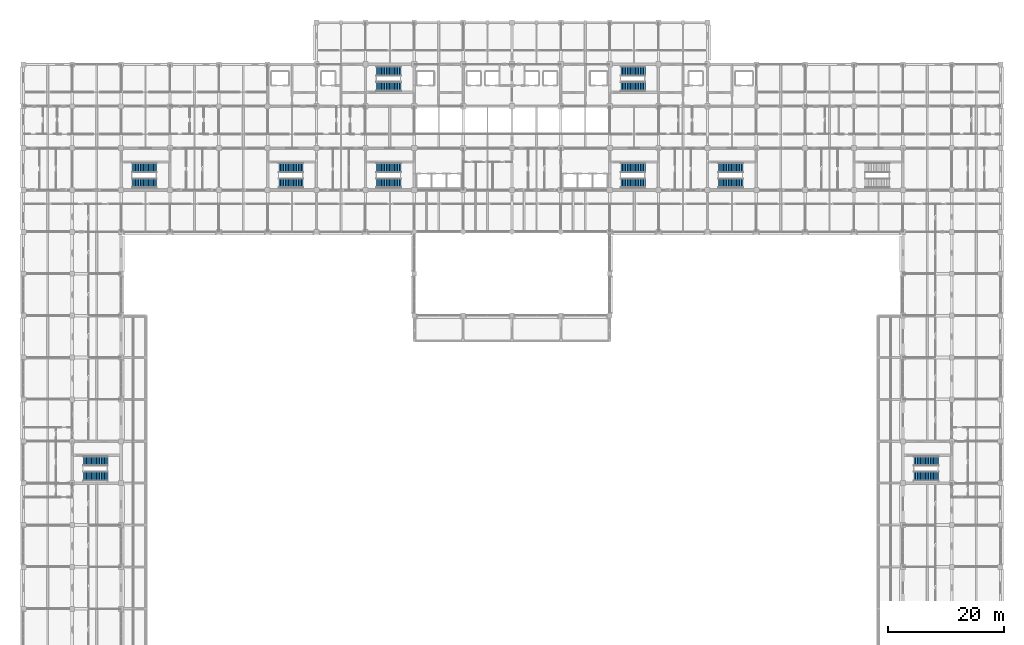
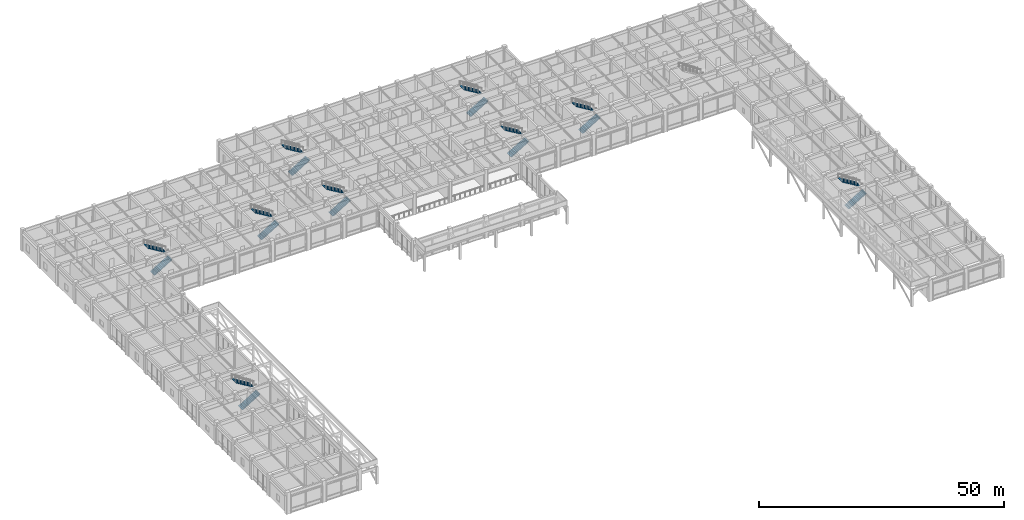
# One storey, part 60 of 68: 18 stair flights, 9 elements without a shape of their own.
"""IFC4 building model written with IfcOpenShell, lengths in metres."""

from ifc_helpers import new_model, si_unit, direction, frame, origin, place, context, subcontext, project, spatial, polyline, outline, extrude, material, type_object, element, aggregate, save


model = new_model("IFC4")

# Units and contexts
model_context = context("Model", 3, precision=1e-05, world=origin(), true_north=direction((0.0, 1.0)))
body_context = subcontext(model_context, "Body", "Model", "MODEL_VIEW")
ifc_project = project(units=[si_unit("LENGTHUNIT", "METRE"), si_unit("AREAUNIT", "SQUARE_METRE"), si_unit("VOLUMEUNIT", "CUBIC_METRE"), si_unit("PLANEANGLEUNIT", "RADIAN"), si_unit("MASSUNIT", "GRAM", prefix="KILO")], contexts=[model_context])

# Site, building, storey
site_placement = place(None, origin())
site = spatial("IfcSite", under=ifc_project, at=site_placement, CompositionType="ELEMENT")
building_placement = place(site_placement, origin())
building = spatial("IfcBuilding", under=site, at=building_placement, Name="Chengyuan Square Courthouse", CompositionType="ELEMENT")
storey_placement = place(building_placement, frame((0.0, 0.0, 5.39990234375)))
storey = spatial("IfcBuildingStorey", under=building, at=storey_placement, Name="L02", CompositionType="ELEMENT", Elevation=5.39990234375)

# Stair, stair flights
ifc_material = material(Name="Concrete C40", Category="concrete")
stair_type_1 = type_object("IfcStairType", Name="ST-TYPE-01", PredefinedType="HALF_TURN_STAIR", material=ifc_material)
stair_1_placement = place(storey_placement, origin())
stair_1 = element("IfcStair", 1, at=stair_1_placement, inside=storey, type_object=stair_type_1, Name="Smoke-Proof Exit Stair ST-1 (L02 to L03)", PredefinedType="HALF_TURN_STAIR")
stair_flight_type_1 = type_object("IfcStairFlightType", Name="STF-TYPE-01", PredefinedType="STRAIGHT", material=ifc_material)
stair_flight_1_placement = place(storey_placement, frame((60.7099609375, 104.175048828125, 0.0), z_axis=(0.0, 0.0, 1.0), x_axis=(1.0, 0.0, 0.0)))
stair_flight_1 = element("IfcStairFlight", 2, at=stair_flight_1_placement, type_object=stair_flight_type_1, Name="ST-1 flight 1", NumberOfRisers=16, NumberOfTreads=15, PredefinedType="STRAIGHT", RiserHeight=0.16875, TreadLength=0.28, context=body_context, shape_type="SweptSolid", body=[
    extrude(outline(polyline([(0.0, 0.0), (0.0, 0.168701171875), (0.280029296875, 0.168701171875), (0.280029296875, 0.33740234375), (0.56005859375, 0.33740234375), (0.56005859375, 0.50634765625), (0.840087890625, 0.50634765625), (0.840087890625, 0.675048828125), (1.1201171875, 0.675048828125), (1.1201171875, 0.84375), (1.39990234375, 0.84375), (1.39990234375, 1.012451171875), (1.679931640625, 1.012451171875), (1.679931640625, 1.18115234375), (1.9599609375, 1.18115234375), (1.9599609375, 1.35009765625), (2.239990234375, 1.35009765625), (2.239990234375, 1.518798828125), (2.52001953125, 1.518798828125), (2.52001953125, 1.6875), (2.800048828125, 1.6875), (2.800048828125, 1.856201171875), (3.080078125, 1.856201171875), (3.080078125, 2.02490234375), (3.360107421875, 2.02490234375), (3.360107421875, 2.19384765625), (3.639892578125, 2.19384765625), (3.639892578125, 2.362548828125), (3.919921875, 2.362548828125), (3.919921875, 2.53125), (4.199951171875, 2.53125), (4.199951171875, 2.699951171875), (4.199951171875, 2.356201171875), (0.29052734375, 0.0), (0.0, 0.0)])), frame((0.0, 0.824951171875, 0.0), z_axis=(0.0, -1.0, 0.0), x_axis=(1.0, 0.0, 0.0)), (0.0, 0.0, 1.0), 1.64990234375),
])
stair_flight_2_placement = place(storey_placement, frame((64.909912109375, 106.824951171875, 2.7001953125), z_axis=(0.0, 0.0, 1.0), x_axis=(-1.0, 0.0, 0.0)))
stair_flight_2 = element("IfcStairFlight", 3, at=stair_flight_2_placement, type_object=stair_flight_type_1, Name="ST-1 flight 2", NumberOfRisers=16, NumberOfTreads=15, PredefinedType="STRAIGHT", RiserHeight=0.16875, TreadLength=0.28, context=body_context, shape_type="SweptSolid", body=[
    extrude(outline(polyline([(0.0, 0.0), (0.0, 0.168701171875), (0.280029296875, 0.168701171875), (0.280029296875, 0.33740234375), (0.56005859375, 0.33740234375), (0.56005859375, 0.50634765625), (0.840087890625, 0.50634765625), (0.840087890625, 0.675048828125), (1.1201171875, 0.675048828125), (1.1201171875, 0.84375), (1.39990234375, 0.84375), (1.39990234375, 1.012451171875), (1.679931640625, 1.012451171875), (1.679931640625, 1.18115234375), (1.9599609375, 1.18115234375), (1.9599609375, 1.35009765625), (2.239990234375, 1.35009765625), (2.239990234375, 1.518798828125), (2.52001953125, 1.518798828125), (2.52001953125, 1.6875), (2.800048828125, 1.6875), (2.800048828125, 1.856201171875), (3.080078125, 1.856201171875), (3.080078125, 2.02490234375), (3.360107421875, 2.02490234375), (3.360107421875, 2.19384765625), (3.639892578125, 2.19384765625), (3.639892578125, 2.362548828125), (3.919921875, 2.362548828125), (3.919921875, 2.53125), (4.199951171875, 2.53125), (4.199951171875, 2.699951171875), (4.199951171875, 2.356201171875), (0.29052734375, 0.0), (0.0, 0.0)])), frame((0.0, 0.824951171875, 0.0), z_axis=(0.0, -1.0, 0.0), x_axis=(1.0, 0.0, 0.0)), (0.0, 0.0, 1.0), 1.64990234375),
])
aggregate(stair_1, [stair_flight_1, stair_flight_2])

stair_type_2 = type_object("IfcStairType", Name="ST-TYPE-02", PredefinedType="HALF_TURN_STAIR", material=ifc_material)
stair_2_placement = place(storey_placement, origin())
stair_2 = element("IfcStair", 4, at=stair_2_placement, inside=storey, type_object=stair_type_2, Name="Smoke-Proof Exit Stair ST-2 (L02 to L03)", PredefinedType="HALF_TURN_STAIR")
stair_flight_type_2 = type_object("IfcStairFlightType", Name="STF-TYPE-02", PredefinedType="STRAIGHT", material=ifc_material)
stair_flight_3_placement = place(storey_placement, frame((102.7099609375, 104.175048828125, 0.0), z_axis=(0.0, 0.0, 1.0), x_axis=(1.0, 0.0, 0.0)))
stair_flight_3 = element("IfcStairFlight", 5, at=stair_flight_3_placement, type_object=stair_flight_type_2, Name="ST-2 flight 1", NumberOfRisers=16, NumberOfTreads=15, PredefinedType="STRAIGHT", RiserHeight=0.16875, TreadLength=0.28, context=body_context, shape_type="SweptSolid", body=[
    extrude(outline(polyline([(0.0, 0.0), (0.0, 0.168701171875), (0.280029296875, 0.168701171875), (0.280029296875, 0.33740234375), (0.56005859375, 0.33740234375), (0.56005859375, 0.50634765625), (0.840087890625, 0.50634765625), (0.840087890625, 0.675048828125), (1.1201171875, 0.675048828125), (1.1201171875, 0.84375), (1.39990234375, 0.84375), (1.39990234375, 1.012451171875), (1.679931640625, 1.012451171875), (1.679931640625, 1.18115234375), (1.9599609375, 1.18115234375), (1.9599609375, 1.35009765625), (2.239990234375, 1.35009765625), (2.239990234375, 1.518798828125), (2.52001953125, 1.518798828125), (2.52001953125, 1.6875), (2.800048828125, 1.6875), (2.800048828125, 1.856201171875), (3.080078125, 1.856201171875), (3.080078125, 2.02490234375), (3.360107421875, 2.02490234375), (3.360107421875, 2.19384765625), (3.639892578125, 2.19384765625), (3.639892578125, 2.362548828125), (3.919921875, 2.362548828125), (3.919921875, 2.53125), (4.199951171875, 2.53125), (4.199951171875, 2.699951171875), (4.199951171875, 2.356201171875), (0.29052734375, 0.0), (0.0, 0.0)])), frame((0.0, 0.824951171875, 0.0), z_axis=(0.0, -1.0, 0.0), x_axis=(1.0, 0.0, 0.0)), (0.0, 0.0, 1.0), 1.64990234375),
])
stair_flight_4_placement = place(storey_placement, frame((106.909912109375, 106.824951171875, 2.7001953125), z_axis=(0.0, 0.0, 1.0), x_axis=(-1.0, 0.0, 0.0)))
stair_flight_4 = element("IfcStairFlight", 6, at=stair_flight_4_placement, type_object=stair_flight_type_2, Name="ST-2 flight 2", NumberOfRisers=16, NumberOfTreads=15, PredefinedType="STRAIGHT", RiserHeight=0.16875, TreadLength=0.28, context=body_context, shape_type="SweptSolid", body=[
    extrude(outline(polyline([(0.0, 0.0), (0.0, 0.168701171875), (0.280029296875, 0.168701171875), (0.280029296875, 0.33740234375), (0.56005859375, 0.33740234375), (0.56005859375, 0.50634765625), (0.840087890625, 0.50634765625), (0.840087890625, 0.675048828125), (1.1201171875, 0.675048828125), (1.1201171875, 0.84375), (1.39990234375, 0.84375), (1.39990234375, 1.012451171875), (1.679931640625, 1.012451171875), (1.679931640625, 1.18115234375), (1.9599609375, 1.18115234375), (1.9599609375, 1.35009765625), (2.239990234375, 1.35009765625), (2.239990234375, 1.518798828125), (2.52001953125, 1.518798828125), (2.52001953125, 1.6875), (2.800048828125, 1.6875), (2.800048828125, 1.856201171875), (3.080078125, 1.856201171875), (3.080078125, 2.02490234375), (3.360107421875, 2.02490234375), (3.360107421875, 2.19384765625), (3.639892578125, 2.19384765625), (3.639892578125, 2.362548828125), (3.919921875, 2.362548828125), (3.919921875, 2.53125), (4.199951171875, 2.53125), (4.199951171875, 2.699951171875), (4.199951171875, 2.356201171875), (0.29052734375, 0.0), (0.0, 0.0)])), frame((0.0, 0.824951171875, 0.0), z_axis=(0.0, -1.0, 0.0), x_axis=(1.0, 0.0, 0.0)), (0.0, 0.0, 1.0), 1.64990234375),
])
aggregate(stair_2, [stair_flight_3, stair_flight_4])

stair_type_3 = type_object("IfcStairType", Name="ST-TYPE-03", PredefinedType="HALF_TURN_STAIR", material=ifc_material)
stair_3_placement = place(storey_placement, origin())
stair_3 = element("IfcStair", 7, at=stair_3_placement, inside=storey, type_object=stair_type_3, Name="Smoke-Proof Exit Stair ST-3 (L02 to L03)", PredefinedType="HALF_TURN_STAIR")
stair_flight_type_3 = type_object("IfcStairFlightType", Name="STF-TYPE-03", PredefinedType="STRAIGHT", material=ifc_material)
stair_flight_5_placement = place(storey_placement, frame((60.7099609375, 87.574951171875, 0.0), z_axis=(0.0, 0.0, 1.0), x_axis=(1.0, 0.0, 0.0)))
stair_flight_5 = element("IfcStairFlight", 8, at=stair_flight_5_placement, type_object=stair_flight_type_3, Name="ST-3 flight 1", NumberOfRisers=16, NumberOfTreads=15, PredefinedType="STRAIGHT", RiserHeight=0.16875, TreadLength=0.28, context=body_context, shape_type="SweptSolid", body=[
    extrude(outline(polyline([(0.0, 0.0), (0.0, 0.168701171875), (0.280029296875, 0.168701171875), (0.280029296875, 0.33740234375), (0.56005859375, 0.33740234375), (0.56005859375, 0.50634765625), (0.840087890625, 0.50634765625), (0.840087890625, 0.675048828125), (1.1201171875, 0.675048828125), (1.1201171875, 0.84375), (1.39990234375, 0.84375), (1.39990234375, 1.012451171875), (1.679931640625, 1.012451171875), (1.679931640625, 1.18115234375), (1.9599609375, 1.18115234375), (1.9599609375, 1.35009765625), (2.239990234375, 1.35009765625), (2.239990234375, 1.518798828125), (2.52001953125, 1.518798828125), (2.52001953125, 1.6875), (2.800048828125, 1.6875), (2.800048828125, 1.856201171875), (3.080078125, 1.856201171875), (3.080078125, 2.02490234375), (3.360107421875, 2.02490234375), (3.360107421875, 2.19384765625), (3.639892578125, 2.19384765625), (3.639892578125, 2.362548828125), (3.919921875, 2.362548828125), (3.919921875, 2.53125), (4.199951171875, 2.53125), (4.199951171875, 2.699951171875), (4.199951171875, 2.356201171875), (0.29052734375, 0.0), (0.0, 0.0)])), frame((0.0, 0.824951171875, 0.0), z_axis=(0.0, -1.0, 0.0), x_axis=(1.0, 0.0, 0.0)), (0.0, 0.0, 1.0), 1.64990234375),
])
stair_flight_6_placement = place(storey_placement, frame((64.909912109375, 90.22509765625, 2.7001953125), z_axis=(0.0, 0.0, 1.0), x_axis=(-1.0, 0.0, 0.0)))
stair_flight_6 = element("IfcStairFlight", 9, at=stair_flight_6_placement, type_object=stair_flight_type_3, Name="ST-3 flight 2", NumberOfRisers=16, NumberOfTreads=15, PredefinedType="STRAIGHT", RiserHeight=0.16875, TreadLength=0.28, context=body_context, shape_type="SweptSolid", body=[
    extrude(outline(polyline([(0.0, 0.0), (0.0, 0.168701171875), (0.280029296875, 0.168701171875), (0.280029296875, 0.33740234375), (0.56005859375, 0.33740234375), (0.56005859375, 0.50634765625), (0.840087890625, 0.50634765625), (0.840087890625, 0.675048828125), (1.1201171875, 0.675048828125), (1.1201171875, 0.84375), (1.39990234375, 0.84375), (1.39990234375, 1.012451171875), (1.679931640625, 1.012451171875), (1.679931640625, 1.18115234375), (1.9599609375, 1.18115234375), (1.9599609375, 1.35009765625), (2.239990234375, 1.35009765625), (2.239990234375, 1.518798828125), (2.52001953125, 1.518798828125), (2.52001953125, 1.6875), (2.800048828125, 1.6875), (2.800048828125, 1.856201171875), (3.080078125, 1.856201171875), (3.080078125, 2.02490234375), (3.360107421875, 2.02490234375), (3.360107421875, 2.19384765625), (3.639892578125, 2.19384765625), (3.639892578125, 2.362548828125), (3.919921875, 2.362548828125), (3.919921875, 2.53125), (4.199951171875, 2.53125), (4.199951171875, 2.699951171875), (4.199951171875, 2.356201171875), (0.29052734375, 0.0), (0.0, 0.0)])), frame((0.0, 0.824951171875, 0.0), z_axis=(0.0, -1.0, 0.0), x_axis=(1.0, 0.0, 0.0)), (0.0, 0.0, 1.0), 1.64990234375),
])
aggregate(stair_3, [stair_flight_5, stair_flight_6])

stair_type_4 = type_object("IfcStairType", Name="ST-TYPE-04", PredefinedType="HALF_TURN_STAIR", material=ifc_material)
stair_4_placement = place(storey_placement, origin())
stair_4 = element("IfcStair", 10, at=stair_4_placement, inside=storey, type_object=stair_type_4, Name="Smoke-Proof Exit Stair ST-4 (L02 to L03)", PredefinedType="HALF_TURN_STAIR")
stair_flight_type_4 = type_object("IfcStairFlightType", Name="STF-TYPE-04", PredefinedType="STRAIGHT", material=ifc_material)
stair_flight_7_placement = place(storey_placement, frame((102.7099609375, 87.574951171875, 0.0), z_axis=(0.0, 0.0, 1.0), x_axis=(1.0, 0.0, 0.0)))
stair_flight_7 = element("IfcStairFlight", 11, at=stair_flight_7_placement, type_object=stair_flight_type_4, Name="ST-4 flight 1", NumberOfRisers=16, NumberOfTreads=15, PredefinedType="STRAIGHT", RiserHeight=0.16875, TreadLength=0.28, context=body_context, shape_type="SweptSolid", body=[
    extrude(outline(polyline([(0.0, 0.0), (0.0, 0.168701171875), (0.280029296875, 0.168701171875), (0.280029296875, 0.33740234375), (0.56005859375, 0.33740234375), (0.56005859375, 0.50634765625), (0.840087890625, 0.50634765625), (0.840087890625, 0.675048828125), (1.1201171875, 0.675048828125), (1.1201171875, 0.84375), (1.39990234375, 0.84375), (1.39990234375, 1.012451171875), (1.679931640625, 1.012451171875), (1.679931640625, 1.18115234375), (1.9599609375, 1.18115234375), (1.9599609375, 1.35009765625), (2.239990234375, 1.35009765625), (2.239990234375, 1.518798828125), (2.52001953125, 1.518798828125), (2.52001953125, 1.6875), (2.800048828125, 1.6875), (2.800048828125, 1.856201171875), (3.080078125, 1.856201171875), (3.080078125, 2.02490234375), (3.360107421875, 2.02490234375), (3.360107421875, 2.19384765625), (3.639892578125, 2.19384765625), (3.639892578125, 2.362548828125), (3.919921875, 2.362548828125), (3.919921875, 2.53125), (4.199951171875, 2.53125), (4.199951171875, 2.699951171875), (4.199951171875, 2.356201171875), (0.29052734375, 0.0), (0.0, 0.0)])), frame((0.0, 0.824951171875, 0.0), z_axis=(0.0, -1.0, 0.0), x_axis=(1.0, 0.0, 0.0)), (0.0, 0.0, 1.0), 1.64990234375),
])
stair_flight_8_placement = place(storey_placement, frame((106.909912109375, 90.22509765625, 2.7001953125), z_axis=(0.0, 0.0, 1.0), x_axis=(-1.0, 0.0, 0.0)))
stair_flight_8 = element("IfcStairFlight", 12, at=stair_flight_8_placement, type_object=stair_flight_type_4, Name="ST-4 flight 2", NumberOfRisers=16, NumberOfTreads=15, PredefinedType="STRAIGHT", RiserHeight=0.16875, TreadLength=0.28, context=body_context, shape_type="SweptSolid", body=[
    extrude(outline(polyline([(0.0, 0.0), (0.0, 0.168701171875), (0.280029296875, 0.168701171875), (0.280029296875, 0.33740234375), (0.56005859375, 0.33740234375), (0.56005859375, 0.50634765625), (0.840087890625, 0.50634765625), (0.840087890625, 0.675048828125), (1.1201171875, 0.675048828125), (1.1201171875, 0.84375), (1.39990234375, 0.84375), (1.39990234375, 1.012451171875), (1.679931640625, 1.012451171875), (1.679931640625, 1.18115234375), (1.9599609375, 1.18115234375), (1.9599609375, 1.35009765625), (2.239990234375, 1.35009765625), (2.239990234375, 1.518798828125), (2.52001953125, 1.518798828125), (2.52001953125, 1.6875), (2.800048828125, 1.6875), (2.800048828125, 1.856201171875), (3.080078125, 1.856201171875), (3.080078125, 2.02490234375), (3.360107421875, 2.02490234375), (3.360107421875, 2.19384765625), (3.639892578125, 2.19384765625), (3.639892578125, 2.362548828125), (3.919921875, 2.362548828125), (3.919921875, 2.53125), (4.199951171875, 2.53125), (4.199951171875, 2.699951171875), (4.199951171875, 2.356201171875), (0.29052734375, 0.0), (0.0, 0.0)])), frame((0.0, 0.824951171875, 0.0), z_axis=(0.0, -1.0, 0.0), x_axis=(1.0, 0.0, 0.0)), (0.0, 0.0, 1.0), 1.64990234375),
])
aggregate(stair_4, [stair_flight_7, stair_flight_8])

stair_type_5 = type_object("IfcStairType", Name="ST-TYPE-05", PredefinedType="HALF_TURN_STAIR", material=ifc_material)
stair_5_placement = place(storey_placement, origin())
stair_5 = element("IfcStair", 13, at=stair_5_placement, inside=storey, type_object=stair_type_5, Name="Smoke-Proof Exit Stair ST-5 (L02 to L03)", PredefinedType="HALF_TURN_STAIR")
stair_flight_type_5 = type_object("IfcStairFlightType", Name="STF-TYPE-05", PredefinedType="STRAIGHT", material=ifc_material)
stair_flight_9_placement = place(storey_placement, frame((43.909912109375, 87.574951171875, 0.0), z_axis=(0.0, 0.0, 1.0), x_axis=(1.0, 0.0, 0.0)))
stair_flight_9 = element("IfcStairFlight", 14, at=stair_flight_9_placement, type_object=stair_flight_type_5, Name="ST-5 flight 1", NumberOfRisers=16, NumberOfTreads=15, PredefinedType="STRAIGHT", RiserHeight=0.16875, TreadLength=0.28, context=body_context, shape_type="SweptSolid", body=[
    extrude(outline(polyline([(0.0, 0.0), (0.0, 0.168701171875), (0.280029296875, 0.168701171875), (0.280029296875, 0.33740234375), (0.56005859375, 0.33740234375), (0.56005859375, 0.50634765625), (0.840087890625, 0.50634765625), (0.840087890625, 0.675048828125), (1.1201171875, 0.675048828125), (1.1201171875, 0.84375), (1.39990234375, 0.84375), (1.39990234375, 1.012451171875), (1.679931640625, 1.012451171875), (1.679931640625, 1.18115234375), (1.9599609375, 1.18115234375), (1.9599609375, 1.35009765625), (2.239990234375, 1.35009765625), (2.239990234375, 1.518798828125), (2.52001953125, 1.518798828125), (2.52001953125, 1.6875), (2.800048828125, 1.6875), (2.800048828125, 1.856201171875), (3.080078125, 1.856201171875), (3.080078125, 2.02490234375), (3.360107421875, 2.02490234375), (3.360107421875, 2.19384765625), (3.639892578125, 2.19384765625), (3.639892578125, 2.362548828125), (3.919921875, 2.362548828125), (3.919921875, 2.53125), (4.199951171875, 2.53125), (4.199951171875, 2.699951171875), (4.199951171875, 2.356201171875), (0.29052734375, 0.0), (0.0, 0.0)])), frame((0.0, 0.824951171875, 0.0), z_axis=(0.0, -1.0, 0.0), x_axis=(1.0, 0.0, 0.0)), (0.0, 0.0, 1.0), 1.64990234375),
])
stair_flight_10_placement = place(storey_placement, frame((48.110107421875, 90.22509765625, 2.7001953125), z_axis=(0.0, 0.0, 1.0), x_axis=(-1.0, 0.0, 0.0)))
stair_flight_10 = element("IfcStairFlight", 15, at=stair_flight_10_placement, type_object=stair_flight_type_5, Name="ST-5 flight 2", NumberOfRisers=16, NumberOfTreads=15, PredefinedType="STRAIGHT", RiserHeight=0.16875, TreadLength=0.28, context=body_context, shape_type="SweptSolid", body=[
    extrude(outline(polyline([(0.0, 0.0), (0.0, 0.168701171875), (0.280029296875, 0.168701171875), (0.280029296875, 0.33740234375), (0.56005859375, 0.33740234375), (0.56005859375, 0.50634765625), (0.840087890625, 0.50634765625), (0.840087890625, 0.675048828125), (1.1201171875, 0.675048828125), (1.1201171875, 0.84375), (1.39990234375, 0.84375), (1.39990234375, 1.012451171875), (1.679931640625, 1.012451171875), (1.679931640625, 1.18115234375), (1.9599609375, 1.18115234375), (1.9599609375, 1.35009765625), (2.239990234375, 1.35009765625), (2.239990234375, 1.518798828125), (2.52001953125, 1.518798828125), (2.52001953125, 1.6875), (2.800048828125, 1.6875), (2.800048828125, 1.856201171875), (3.080078125, 1.856201171875), (3.080078125, 2.02490234375), (3.360107421875, 2.02490234375), (3.360107421875, 2.19384765625), (3.639892578125, 2.19384765625), (3.639892578125, 2.362548828125), (3.919921875, 2.362548828125), (3.919921875, 2.53125), (4.199951171875, 2.53125), (4.199951171875, 2.699951171875), (4.199951171875, 2.356201171875), (0.29052734375, 0.0), (0.0, 0.0)])), frame((0.0, 0.824951171875, 0.0), z_axis=(0.0, -1.0, 0.0), x_axis=(1.0, 0.0, 0.0)), (0.0, 0.0, 1.0), 1.64990234375),
])
aggregate(stair_5, [stair_flight_9, stair_flight_10])

stair_type_6 = type_object("IfcStairType", Name="ST-TYPE-06", PredefinedType="HALF_TURN_STAIR", material=ifc_material)
stair_6_placement = place(storey_placement, origin())
stair_6 = element("IfcStair", 16, at=stair_6_placement, inside=storey, type_object=stair_type_6, Name="Smoke-Proof Exit Stair ST-6 (L02 to L03)", PredefinedType="HALF_TURN_STAIR")
stair_flight_type_6 = type_object("IfcStairFlightType", Name="STF-TYPE-06", PredefinedType="STRAIGHT", material=ifc_material)
stair_flight_11_placement = place(storey_placement, frame((119.510009765625, 87.574951171875, 0.0), z_axis=(0.0, 0.0, 1.0), x_axis=(1.0, 0.0, 0.0)))
stair_flight_11 = element("IfcStairFlight", 17, at=stair_flight_11_placement, type_object=stair_flight_type_6, Name="ST-6 flight 1", NumberOfRisers=16, NumberOfTreads=15, PredefinedType="STRAIGHT", RiserHeight=0.16875, TreadLength=0.28, context=body_context, shape_type="SweptSolid", body=[
    extrude(outline(polyline([(0.0, 0.0), (0.0, 0.168701171875), (0.280029296875, 0.168701171875), (0.280029296875, 0.33740234375), (0.56005859375, 0.33740234375), (0.56005859375, 0.50634765625), (0.840087890625, 0.50634765625), (0.840087890625, 0.675048828125), (1.1201171875, 0.675048828125), (1.1201171875, 0.84375), (1.39990234375, 0.84375), (1.39990234375, 1.012451171875), (1.679931640625, 1.012451171875), (1.679931640625, 1.18115234375), (1.9599609375, 1.18115234375), (1.9599609375, 1.35009765625), (2.239990234375, 1.35009765625), (2.239990234375, 1.518798828125), (2.52001953125, 1.518798828125), (2.52001953125, 1.6875), (2.800048828125, 1.6875), (2.800048828125, 1.856201171875), (3.080078125, 1.856201171875), (3.080078125, 2.02490234375), (3.360107421875, 2.02490234375), (3.360107421875, 2.19384765625), (3.639892578125, 2.19384765625), (3.639892578125, 2.362548828125), (3.919921875, 2.362548828125), (3.919921875, 2.53125), (4.199951171875, 2.53125), (4.199951171875, 2.699951171875), (4.199951171875, 2.356201171875), (0.29052734375, 0.0), (0.0, 0.0)])), frame((0.0, 0.824951171875, 0.0), z_axis=(0.0, -1.0, 0.0), x_axis=(1.0, 0.0, 0.0)), (0.0, 0.0, 1.0), 1.64990234375),
])
stair_flight_12_placement = place(storey_placement, frame((123.7099609375, 90.22509765625, 2.7001953125), z_axis=(0.0, 0.0, 1.0), x_axis=(-1.0, 0.0, 0.0)))
stair_flight_12 = element("IfcStairFlight", 18, at=stair_flight_12_placement, type_object=stair_flight_type_6, Name="ST-6 flight 2", NumberOfRisers=16, NumberOfTreads=15, PredefinedType="STRAIGHT", RiserHeight=0.16875, TreadLength=0.28, context=body_context, shape_type="SweptSolid", body=[
    extrude(outline(polyline([(0.0, 0.0), (0.0, 0.168701171875), (0.280029296875, 0.168701171875), (0.280029296875, 0.33740234375), (0.56005859375, 0.33740234375), (0.56005859375, 0.50634765625), (0.840087890625, 0.50634765625), (0.840087890625, 0.675048828125), (1.1201171875, 0.675048828125), (1.1201171875, 0.84375), (1.39990234375, 0.84375), (1.39990234375, 1.012451171875), (1.679931640625, 1.012451171875), (1.679931640625, 1.18115234375), (1.9599609375, 1.18115234375), (1.9599609375, 1.35009765625), (2.239990234375, 1.35009765625), (2.239990234375, 1.518798828125), (2.52001953125, 1.518798828125), (2.52001953125, 1.6875), (2.800048828125, 1.6875), (2.800048828125, 1.856201171875), (3.080078125, 1.856201171875), (3.080078125, 2.02490234375), (3.360107421875, 2.02490234375), (3.360107421875, 2.19384765625), (3.639892578125, 2.19384765625), (3.639892578125, 2.362548828125), (3.919921875, 2.362548828125), (3.919921875, 2.53125), (4.199951171875, 2.53125), (4.199951171875, 2.699951171875), (4.199951171875, 2.356201171875), (0.29052734375, 0.0), (0.0, 0.0)])), frame((0.0, 0.824951171875, 0.0), z_axis=(0.0, -1.0, 0.0), x_axis=(1.0, 0.0, 0.0)), (0.0, 0.0, 1.0), 1.64990234375),
])
aggregate(stair_6, [stair_flight_11, stair_flight_12])

stair_type_7 = type_object("IfcStairType", Name="ST-TYPE-07", PredefinedType="HALF_TURN_STAIR", material=ifc_material)
stair_7_placement = place(storey_placement, origin())
stair_7 = element("IfcStair", 19, at=stair_7_placement, inside=storey, type_object=stair_type_7, Name="Smoke-Proof Exit Stair ST-7 (L02 to L03)", PredefinedType="HALF_TURN_STAIR")
stair_flight_type_7 = type_object("IfcStairFlightType", Name="STF-TYPE-07", PredefinedType="STRAIGHT", material=ifc_material)
stair_flight_13_placement = place(storey_placement, frame((10.31005859375, 37.175048828125, 0.0), z_axis=(0.0, 0.0, 1.0), x_axis=(1.0, 0.0, 0.0)))
stair_flight_13 = element("IfcStairFlight", 20, at=stair_flight_13_placement, type_object=stair_flight_type_7, Name="ST-7 flight 1", NumberOfRisers=16, NumberOfTreads=15, PredefinedType="STRAIGHT", RiserHeight=0.16875, TreadLength=0.28, context=body_context, shape_type="SweptSolid", body=[
    extrude(outline(polyline([(0.0, 0.0), (0.0, 0.168701171875), (0.280029296875, 0.168701171875), (0.280029296875, 0.33740234375), (0.56005859375, 0.33740234375), (0.56005859375, 0.50634765625), (0.840087890625, 0.50634765625), (0.840087890625, 0.675048828125), (1.1201171875, 0.675048828125), (1.1201171875, 0.84375), (1.39990234375, 0.84375), (1.39990234375, 1.012451171875), (1.679931640625, 1.012451171875), (1.679931640625, 1.18115234375), (1.9599609375, 1.18115234375), (1.9599609375, 1.35009765625), (2.239990234375, 1.35009765625), (2.239990234375, 1.518798828125), (2.52001953125, 1.518798828125), (2.52001953125, 1.6875), (2.800048828125, 1.6875), (2.800048828125, 1.856201171875), (3.080078125, 1.856201171875), (3.080078125, 2.02490234375), (3.360107421875, 2.02490234375), (3.360107421875, 2.19384765625), (3.639892578125, 2.19384765625), (3.639892578125, 2.362548828125), (3.919921875, 2.362548828125), (3.919921875, 2.53125), (4.199951171875, 2.53125), (4.199951171875, 2.699951171875), (4.199951171875, 2.356201171875), (0.29052734375, 0.0), (0.0, 0.0)])), frame((0.0, 0.824951171875, 0.0), z_axis=(0.0, -1.0, 0.0), x_axis=(1.0, 0.0, 0.0)), (0.0, 0.0, 1.0), 1.64990234375),
])
stair_flight_14_placement = place(storey_placement, frame((14.510009765625, 39.824951171875, 2.7001953125), z_axis=(0.0, 0.0, 1.0), x_axis=(-1.0, 0.0, 0.0)))
stair_flight_14 = element("IfcStairFlight", 21, at=stair_flight_14_placement, type_object=stair_flight_type_7, Name="ST-7 flight 2", NumberOfRisers=16, NumberOfTreads=15, PredefinedType="STRAIGHT", RiserHeight=0.16875, TreadLength=0.28, context=body_context, shape_type="SweptSolid", body=[
    extrude(outline(polyline([(0.0, 0.0), (0.0, 0.168701171875), (0.280029296875, 0.168701171875), (0.280029296875, 0.33740234375), (0.56005859375, 0.33740234375), (0.56005859375, 0.50634765625), (0.840087890625, 0.50634765625), (0.840087890625, 0.675048828125), (1.1201171875, 0.675048828125), (1.1201171875, 0.84375), (1.39990234375, 0.84375), (1.39990234375, 1.012451171875), (1.679931640625, 1.012451171875), (1.679931640625, 1.18115234375), (1.9599609375, 1.18115234375), (1.9599609375, 1.35009765625), (2.239990234375, 1.35009765625), (2.239990234375, 1.518798828125), (2.52001953125, 1.518798828125), (2.52001953125, 1.6875), (2.800048828125, 1.6875), (2.800048828125, 1.856201171875), (3.080078125, 1.856201171875), (3.080078125, 2.02490234375), (3.360107421875, 2.02490234375), (3.360107421875, 2.19384765625), (3.639892578125, 2.19384765625), (3.639892578125, 2.362548828125), (3.919921875, 2.362548828125), (3.919921875, 2.53125), (4.199951171875, 2.53125), (4.199951171875, 2.699951171875), (4.199951171875, 2.356201171875), (0.29052734375, 0.0), (0.0, 0.0)])), frame((0.0, 0.824951171875, 0.0), z_axis=(0.0, -1.0, 0.0), x_axis=(1.0, 0.0, 0.0)), (0.0, 0.0, 1.0), 1.64990234375),
])
aggregate(stair_7, [stair_flight_13, stair_flight_14])

stair_type_8 = type_object("IfcStairType", Name="ST-TYPE-08", PredefinedType="HALF_TURN_STAIR", material=ifc_material)
stair_8_placement = place(storey_placement, origin())
stair_8 = element("IfcStair", 22, at=stair_8_placement, inside=storey, type_object=stair_type_8, Name="Smoke-Proof Exit Stair ST-8 (L02 to L03)", PredefinedType="HALF_TURN_STAIR")
stair_flight_type_8 = type_object("IfcStairFlightType", Name="STF-TYPE-08", PredefinedType="STRAIGHT", material=ifc_material)
stair_flight_15_placement = place(storey_placement, frame((153.110107421875, 37.175048828125, 0.0), z_axis=(0.0, 0.0, 1.0), x_axis=(1.0, 0.0, 0.0)))
stair_flight_15 = element("IfcStairFlight", 23, at=stair_flight_15_placement, type_object=stair_flight_type_8, Name="ST-8 flight 1", NumberOfRisers=16, NumberOfTreads=15, PredefinedType="STRAIGHT", RiserHeight=0.16875, TreadLength=0.28, context=body_context, shape_type="SweptSolid", body=[
    extrude(outline(polyline([(0.0, 0.0), (0.0, 0.168701171875), (0.280029296875, 0.168701171875), (0.280029296875, 0.33740234375), (0.56005859375, 0.33740234375), (0.56005859375, 0.50634765625), (0.840087890625, 0.50634765625), (0.840087890625, 0.675048828125), (1.1201171875, 0.675048828125), (1.1201171875, 0.84375), (1.39990234375, 0.84375), (1.39990234375, 1.012451171875), (1.679931640625, 1.012451171875), (1.679931640625, 1.18115234375), (1.9599609375, 1.18115234375), (1.9599609375, 1.35009765625), (2.239990234375, 1.35009765625), (2.239990234375, 1.518798828125), (2.52001953125, 1.518798828125), (2.52001953125, 1.6875), (2.800048828125, 1.6875), (2.800048828125, 1.856201171875), (3.080078125, 1.856201171875), (3.080078125, 2.02490234375), (3.360107421875, 2.02490234375), (3.360107421875, 2.19384765625), (3.639892578125, 2.19384765625), (3.639892578125, 2.362548828125), (3.919921875, 2.362548828125), (3.919921875, 2.53125), (4.199951171875, 2.53125), (4.199951171875, 2.699951171875), (4.199951171875, 2.356201171875), (0.29052734375, 0.0), (0.0, 0.0)])), frame((0.0, 0.824951171875, 0.0), z_axis=(0.0, -1.0, 0.0), x_axis=(1.0, 0.0, 0.0)), (0.0, 0.0, 1.0), 1.64990234375),
])
stair_flight_16_placement = place(storey_placement, frame((157.31005859375, 39.824951171875, 2.7001953125), z_axis=(0.0, 0.0, 1.0), x_axis=(-1.0, 0.0, 0.0)))
stair_flight_16 = element("IfcStairFlight", 24, at=stair_flight_16_placement, type_object=stair_flight_type_8, Name="ST-8 flight 2", NumberOfRisers=16, NumberOfTreads=15, PredefinedType="STRAIGHT", RiserHeight=0.16875, TreadLength=0.28, context=body_context, shape_type="SweptSolid", body=[
    extrude(outline(polyline([(0.0, 0.0), (0.0, 0.168701171875), (0.280029296875, 0.168701171875), (0.280029296875, 0.33740234375), (0.56005859375, 0.33740234375), (0.56005859375, 0.50634765625), (0.840087890625, 0.50634765625), (0.840087890625, 0.675048828125), (1.1201171875, 0.675048828125), (1.1201171875, 0.84375), (1.39990234375, 0.84375), (1.39990234375, 1.012451171875), (1.679931640625, 1.012451171875), (1.679931640625, 1.18115234375), (1.9599609375, 1.18115234375), (1.9599609375, 1.35009765625), (2.239990234375, 1.35009765625), (2.239990234375, 1.518798828125), (2.52001953125, 1.518798828125), (2.52001953125, 1.6875), (2.800048828125, 1.6875), (2.800048828125, 1.856201171875), (3.080078125, 1.856201171875), (3.080078125, 2.02490234375), (3.360107421875, 2.02490234375), (3.360107421875, 2.19384765625), (3.639892578125, 2.19384765625), (3.639892578125, 2.362548828125), (3.919921875, 2.362548828125), (3.919921875, 2.53125), (4.199951171875, 2.53125), (4.199951171875, 2.699951171875), (4.199951171875, 2.356201171875), (0.29052734375, 0.0), (0.0, 0.0)])), frame((0.0, 0.824951171875, 0.0), z_axis=(0.0, -1.0, 0.0), x_axis=(1.0, 0.0, 0.0)), (0.0, 0.0, 1.0), 1.64990234375),
])
aggregate(stair_8, [stair_flight_15, stair_flight_16])

stair_type_9 = type_object("IfcStairType", Name="ST-TYPE-09", PredefinedType="HALF_TURN_STAIR", material=ifc_material)
stair_9_placement = place(storey_placement, origin())
stair_9 = element("IfcStair", 25, at=stair_9_placement, inside=storey, type_object=stair_type_9, Name="Smoke-Proof Exit Stair ST-9 (L02 to L03)", PredefinedType="HALF_TURN_STAIR")
stair_flight_type_9 = type_object("IfcStairFlightType", Name="STF-TYPE-09", PredefinedType="STRAIGHT", material=ifc_material)
stair_flight_17_placement = place(storey_placement, frame((18.7099609375, 87.574951171875, 0.0), z_axis=(0.0, 0.0, 1.0), x_axis=(1.0, 0.0, 0.0)))
stair_flight_17 = element("IfcStairFlight", 26, at=stair_flight_17_placement, type_object=stair_flight_type_9, Name="ST-9 flight 1", NumberOfRisers=16, NumberOfTreads=15, PredefinedType="STRAIGHT", RiserHeight=0.16875, TreadLength=0.28, context=body_context, shape_type="SweptSolid", body=[
    extrude(outline(polyline([(0.0, 0.0), (0.0, 0.168701171875), (0.280029296875, 0.168701171875), (0.280029296875, 0.33740234375), (0.56005859375, 0.33740234375), (0.56005859375, 0.50634765625), (0.840087890625, 0.50634765625), (0.840087890625, 0.675048828125), (1.1201171875, 0.675048828125), (1.1201171875, 0.84375), (1.39990234375, 0.84375), (1.39990234375, 1.012451171875), (1.679931640625, 1.012451171875), (1.679931640625, 1.18115234375), (1.9599609375, 1.18115234375), (1.9599609375, 1.35009765625), (2.239990234375, 1.35009765625), (2.239990234375, 1.518798828125), (2.52001953125, 1.518798828125), (2.52001953125, 1.6875), (2.800048828125, 1.6875), (2.800048828125, 1.856201171875), (3.080078125, 1.856201171875), (3.080078125, 2.02490234375), (3.360107421875, 2.02490234375), (3.360107421875, 2.19384765625), (3.639892578125, 2.19384765625), (3.639892578125, 2.362548828125), (3.919921875, 2.362548828125), (3.919921875, 2.53125), (4.199951171875, 2.53125), (4.199951171875, 2.699951171875), (4.199951171875, 2.356201171875), (0.29052734375, 0.0), (0.0, 0.0)])), frame((0.0, 0.824951171875, 0.0), z_axis=(0.0, -1.0, 0.0), x_axis=(1.0, 0.0, 0.0)), (0.0, 0.0, 1.0), 1.64990234375),
])
stair_flight_18_placement = place(storey_placement, frame((22.909912109375, 90.22509765625, 2.7001953125), z_axis=(0.0, 0.0, 1.0), x_axis=(-1.0, 0.0, 0.0)))
stair_flight_18 = element("IfcStairFlight", 27, at=stair_flight_18_placement, type_object=stair_flight_type_9, Name="ST-9 flight 2", NumberOfRisers=16, NumberOfTreads=15, PredefinedType="STRAIGHT", RiserHeight=0.16875, TreadLength=0.28, context=body_context, shape_type="SweptSolid", body=[
    extrude(outline(polyline([(0.0, 0.0), (0.0, 0.168701171875), (0.280029296875, 0.168701171875), (0.280029296875, 0.33740234375), (0.56005859375, 0.33740234375), (0.56005859375, 0.50634765625), (0.840087890625, 0.50634765625), (0.840087890625, 0.675048828125), (1.1201171875, 0.675048828125), (1.1201171875, 0.84375), (1.39990234375, 0.84375), (1.39990234375, 1.012451171875), (1.679931640625, 1.012451171875), (1.679931640625, 1.18115234375), (1.9599609375, 1.18115234375), (1.9599609375, 1.35009765625), (2.239990234375, 1.35009765625), (2.239990234375, 1.518798828125), (2.52001953125, 1.518798828125), (2.52001953125, 1.6875), (2.800048828125, 1.6875), (2.800048828125, 1.856201171875), (3.080078125, 1.856201171875), (3.080078125, 2.02490234375), (3.360107421875, 2.02490234375), (3.360107421875, 2.19384765625), (3.639892578125, 2.19384765625), (3.639892578125, 2.362548828125), (3.919921875, 2.362548828125), (3.919921875, 2.53125), (4.199951171875, 2.53125), (4.199951171875, 2.699951171875), (4.199951171875, 2.356201171875), (0.29052734375, 0.0), (0.0, 0.0)])), frame((0.0, 0.824951171875, 0.0), z_axis=(0.0, -1.0, 0.0), x_axis=(1.0, 0.0, 0.0)), (0.0, 0.0, 1.0), 1.64990234375),
])
aggregate(stair_9, [stair_flight_17, stair_flight_18])

save(model, "model.ifc")
